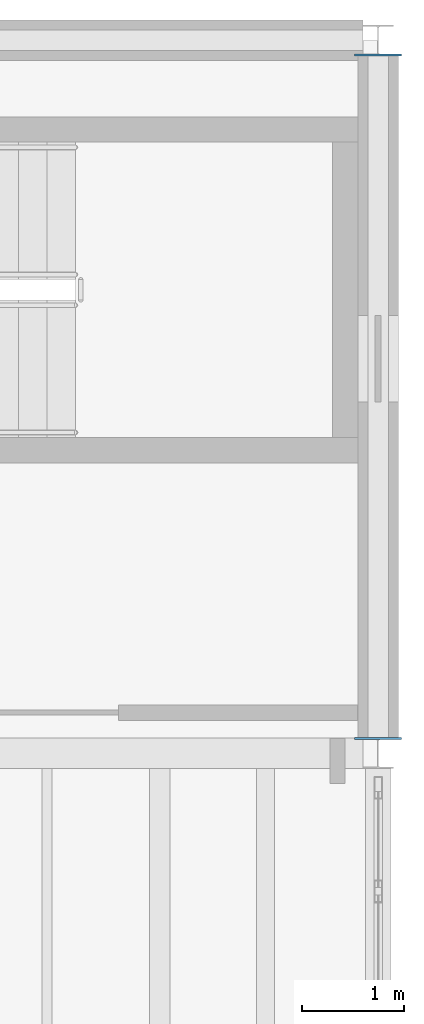
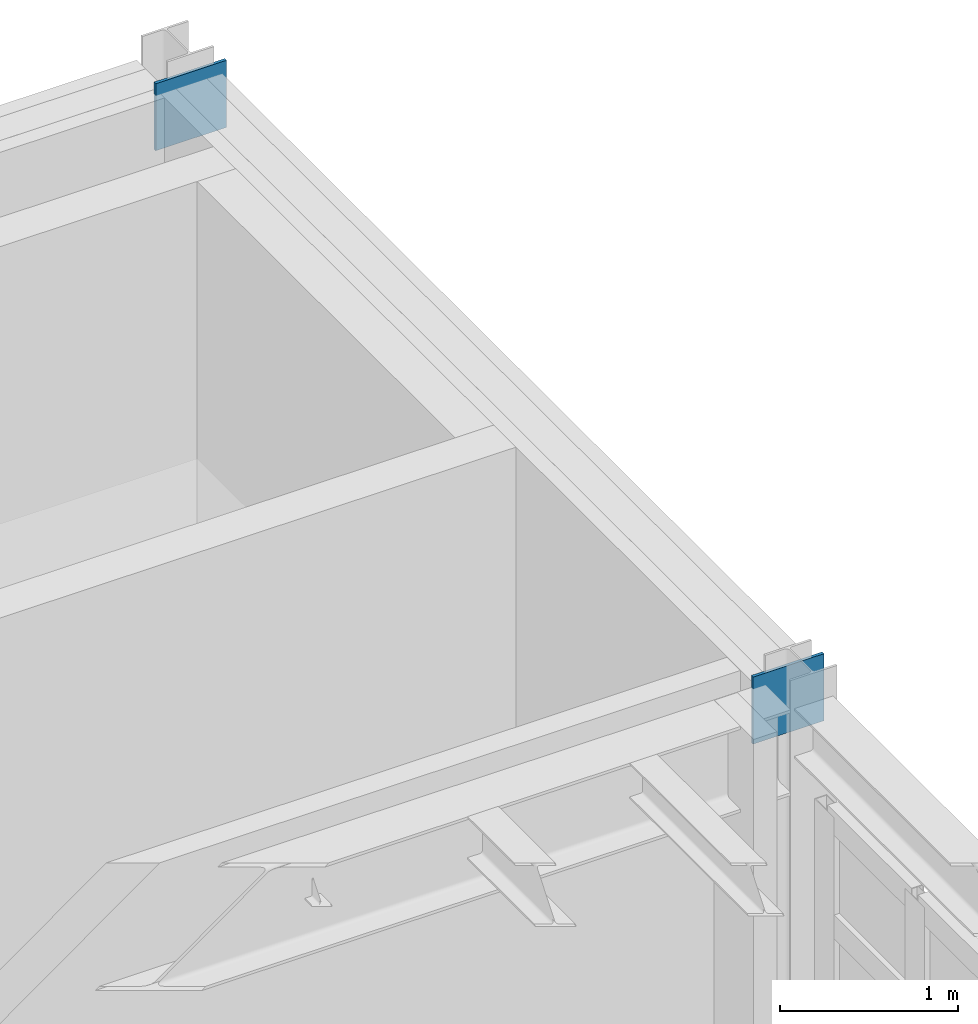
# One storey, part 7 of 11: 2 plates.
"""IFC4 building model written with IfcOpenShell, lengths in metres."""

from ifc_helpers import new_model, si_unit, direction, frame, origin, origin_2d, place, context, subcontext, project, spatial, rectangle, extrude, material, material_profile, profile_set, type_object, element, save


model = new_model("IFC4")

# Units and contexts
model_context = context("Model", 3, precision=1e-05, world=origin(), true_north=direction((0.0, 1.0)))
body_context = subcontext(model_context, "Body", "Model", "MODEL_VIEW")
ifc_project = project(units=[si_unit("LENGTHUNIT", "METRE"), si_unit("AREAUNIT", "SQUARE_METRE"), si_unit("VOLUMEUNIT", "CUBIC_METRE"), si_unit("PLANEANGLEUNIT", "RADIAN"), si_unit("MASSUNIT", "GRAM", prefix="KILO"), si_unit("THERMODYNAMICTEMPERATUREUNIT", "KELVIN"), si_unit("POWERUNIT", "WATT")], contexts=[model_context])

# Site, building, storey
site_placement = place(None, origin())
site = spatial("IfcSite", under=ifc_project, at=site_placement, CompositionType="ELEMENT")
building_placement = place(site_placement, origin())
building = spatial("IfcBuilding", under=site, at=building_placement, Name="Zhenchuan Central Fire Station", CompositionType="ELEMENT")
storey_placement = place(building_placement, frame((0.0, 0.0, 18.449951171875)))
storey = spatial("IfcBuildingStorey", under=building, at=storey_placement, Name="L05", CompositionType="ELEMENT", Elevation=18.449951171875)

# Plates
ifc_material = material(Name="Steel Q355B", Category="steel")
ifc_material_profile = material_profile(ifc_material, rectangle(XDim=0.4599609375, YDim=0.4599609375, at=origin_2d()), Name="PL 460x460x28")
ifc_profile_set = profile_set([ifc_material_profile], Name="Steel Q355B")
plate_type = type_object("IfcPlateType", Name="PL-GUS28", PredefinedType="SHEET", material=ifc_profile_set)
for number, where, z_axis, x_axis, name in (
    (1, (161.0, 49.634033203125, 3.85009765625), (0.0, 1.0, 0.0), (-1.0, 0.0, 0.0), "L06 Girder NS 0505 end cap plate A"),
    (2, (161.0, 56.345947265625, 3.85009765625), (0.0, 1.0, 0.0), (-1.0, 0.0, 0.0), "L06 Girder NS 0505 end cap plate B"),
):
    element("IfcPlate", number, at=place(storey_placement, frame(where, z_axis=z_axis, x_axis=x_axis)), inside=storey, type_object=plate_type, Name=name, PredefinedType="SHEET", context=body_context, shape_type="SweptSolid", body=[
        extrude(rectangle(XDim=0.4599609375, YDim=0.4599609375, at=origin_2d()), origin(), (0.0, 0.0, 1.0), 0.02001953125),
    ])

save(model, "model.ifc")
